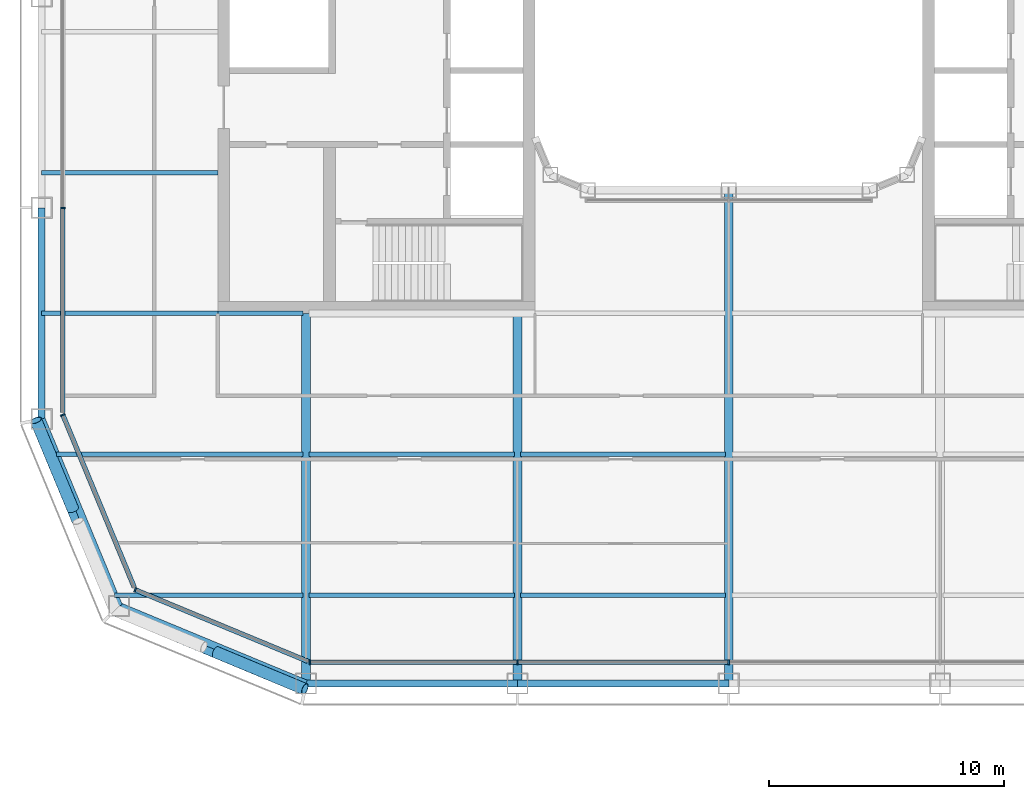
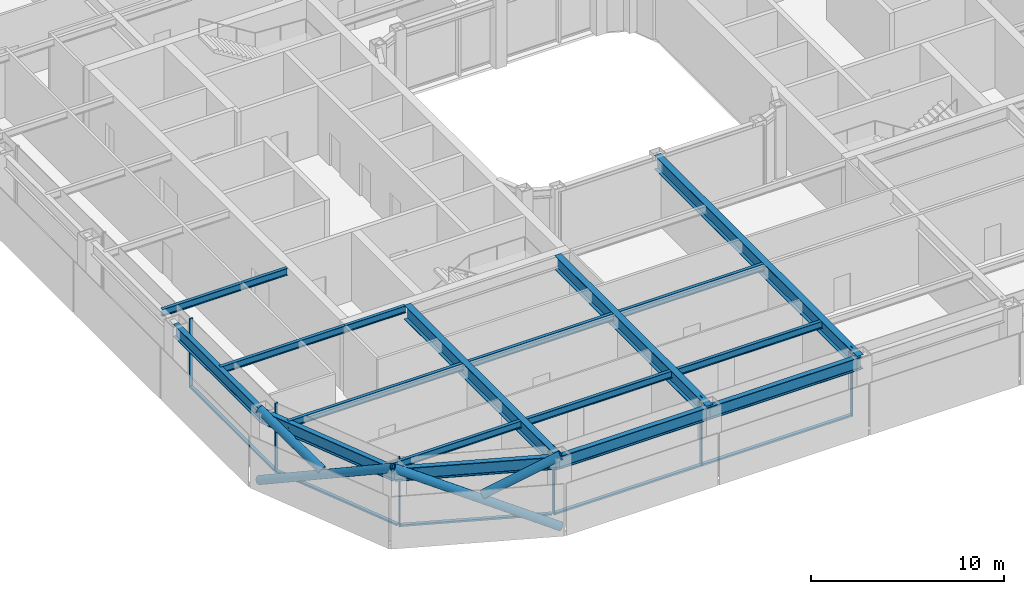
# One storey, part 2 of 23: 17 beams, 15 members, 4 elements without a shape of their own.
"""IFC4 building model written with IfcOpenShell, lengths in metres."""

from ifc_helpers import new_model, si_unit, direction, frame, origin, origin_2d, place, context, subcontext, project, spatial, rectangle, hollow_circle, i_section, extrude, material, layer, layer_set, material_profile, profile_set, type_object, element, aggregate, save


model = new_model("IFC4")

# Units and contexts
model_context = context("Model", 3, precision=1e-05, world=origin(), true_north=direction((0.0, 1.0)))
body_context = subcontext(model_context, "Body", "Model", "MODEL_VIEW")
ifc_project = project(units=[si_unit("LENGTHUNIT", "METRE"), si_unit("AREAUNIT", "SQUARE_METRE"), si_unit("VOLUMEUNIT", "CUBIC_METRE"), si_unit("PLANEANGLEUNIT", "RADIAN"), si_unit("MASSUNIT", "GRAM", prefix="KILO")], contexts=[model_context])

# Site, building, storey
site_placement = place(None, origin())
site = spatial("IfcSite", under=ifc_project, at=site_placement, CompositionType="ELEMENT")
building_placement = place(site_placement, origin())
building = spatial("IfcBuilding", under=site, at=building_placement, Name="Siwar Civic Tower", CompositionType="ELEMENT")
storey_placement = place(building_placement, frame((0.0, 0.0, 145.199951171875)))
storey = spatial("IfcBuildingStorey", under=building, at=storey_placement, Name="L31", CompositionType="ELEMENT", Elevation=145.199951171875)

# Curtain wall, members
ifc_material_1 = material(Name="Aluminium and glass", Category="aluminium")
ifc_layer_1 = layer(ifc_material_1, 0.199951171875)
ifc_layer_set_1 = layer_set([ifc_layer_1], Name="Aluminium and glass")
curtain_wall_type_1 = type_object("IfcCurtainWallType", Name="ENV-CW-B", PredefinedType="NOTDEFINED", material=ifc_layer_set_1)
curtain_wall_1_placement = place(storey_placement, origin())
curtain_wall_1 = element("IfcCurtainWall", 1, at=curtain_wall_1_placement, inside=storey, type_object=curtain_wall_type_1, Name="Curtain wall B S", PredefinedType="NOTDEFINED")
ifc_material_2 = material(Name="Aluminium 6063-T6", Category="aluminium")
ifc_material_profile_1 = material_profile(ifc_material_2, rectangle(XDim=0.199951171875, YDim=0.06494140625, at=origin_2d()), Name="AL 200x65")
ifc_profile_set_1 = profile_set([ifc_material_profile_1], Name="Aluminium 6063-T6")
member_type_1 = type_object("IfcMemberType", Name="ENV-MULLION-B", PredefinedType="MULLION", material=ifc_profile_set_1)
member_1_placement = place(storey_placement, frame((-17.821044921875, -28.35009765625, 0.0), z_axis=(0.0, 0.0, 1.0), x_axis=(0.0, 1.0, 0.0)))
member_1 = element("IfcMember", 2, at=member_1_placement, type_object=member_type_1, Name="Mullion B S 1", PredefinedType="MULLION", context=body_context, shape_type="SweptSolid", body=[
    extrude(rectangle(XDim=0.199951171875, YDim=0.06494140625, at=origin_2d()), origin(), (0.0, 0.0, 1.0), 4.35009765625),
])
member_2_placement = place(storey_placement, frame((-9.0, -28.35009765625, 0.0), z_axis=(0.0, 0.0, 1.0), x_axis=(0.0, 1.0, 0.0)))
member_2 = element("IfcMember", 3, at=member_2_placement, type_object=member_type_1, Name="Mullion B S 2", PredefinedType="MULLION", context=body_context, shape_type="SweptSolid", body=[
    extrude(rectangle(XDim=0.199951171875, YDim=0.06494140625, at=origin_2d()), origin(), (0.0, 0.0, 1.0), 4.35009765625),
])
member_3_placement = place(storey_placement, frame((0.0, -28.35009765625, 0.0), z_axis=(0.0, 0.0, 1.0), x_axis=(0.0, 1.0, 0.0)))
member_3 = element("IfcMember", 4, at=member_3_placement, type_object=member_type_1, Name="Mullion B S 3", PredefinedType="MULLION", context=body_context, shape_type="SweptSolid", body=[
    extrude(rectangle(XDim=0.199951171875, YDim=0.06494140625, at=origin_2d()), origin(), (0.0, 0.0, 1.0), 4.35009765625),
])

# Curtain wall, member
curtain_wall_2_placement = place(storey_placement, origin())
curtain_wall_2 = element("IfcCurtainWall", 5, at=curtain_wall_2_placement, inside=storey, type_object=curtain_wall_type_1, Name="Curtain wall B W", PredefinedType="NOTDEFINED")
member_4_placement = place(storey_placement, frame((-28.35009765625, -9.0, 0.0), z_axis=(0.0, 0.0, 1.0), x_axis=(1.0, 0.0, 0.0)))
member_4 = element("IfcMember", 6, at=member_4_placement, type_object=member_type_1, Name="Mullion B W 4", PredefinedType="MULLION", context=body_context, shape_type="SweptSolid", body=[
    extrude(rectangle(XDim=0.199951171875, YDim=0.06494140625, at=origin_2d()), origin(), (0.0, 0.0, 1.0), 4.35009765625),
])

ifc_material_3 = material(Name="Aluminium clad insulated panel", Category="aluminium")
ifc_layer_2 = layer(ifc_material_3, 0.199951171875)
ifc_layer_set_2 = layer_set([ifc_layer_2], Name="Aluminium clad insulated panel")
curtain_wall_type_2 = type_object("IfcCurtainWallType", Name="ENV-CW-BX", PredefinedType="NOTDEFINED", material=ifc_layer_set_2)
curtain_wall_3_placement = place(storey_placement, origin())
curtain_wall_3 = element("IfcCurtainWall", 7, at=curtain_wall_3_placement, inside=storey, type_object=curtain_wall_type_2, Name="Curtain wall B SW1", PredefinedType="NOTDEFINED")
member_5_placement = place(storey_placement, frame((-28.35009765625, -17.821044921875, 0.0), z_axis=(0.0, 0.0, 1.0), x_axis=(0.923879532511, 0.382683432365, 0.0)))
member_5 = element("IfcMember", 8, at=member_5_placement, type_object=member_type_1, Name="Mullion B SW1 1", PredefinedType="MULLION", context=body_context, shape_type="SweptSolid", body=[
    extrude(rectangle(XDim=0.199951171875, YDim=0.06494140625, at=origin_2d()), origin(), (0.0, 0.0, 1.0), 4.35009765625),
])

curtain_wall_4_placement = place(storey_placement, origin())
curtain_wall_4 = element("IfcCurtainWall", 9, at=curtain_wall_4_placement, inside=storey, type_object=curtain_wall_type_2, Name="Curtain wall B SW2", PredefinedType="NOTDEFINED")
member_6_placement = place(storey_placement, frame((-25.26611328125, -25.26611328125, 0.0), z_axis=(0.0, 0.0, 1.0), x_axis=(0.382683432365, 0.923879532511, 0.0)))
member_6 = element("IfcMember", 10, at=member_6_placement, type_object=member_type_1, Name="Mullion B SW2 1", PredefinedType="MULLION", context=body_context, shape_type="SweptSolid", body=[
    extrude(rectangle(XDim=0.199951171875, YDim=0.06494140625, at=origin_2d()), origin(), (0.0, 0.0, 1.0), 4.35009765625),
])

# Member
ifc_material_4 = material(Name="Aluminium 6063-T6", Category="aluminium")
ifc_material_profile_2 = material_profile(ifc_material_4, rectangle(XDim=0.199951171875, YDim=0.110107421875, at=origin_2d()), Name="AL 200x110")
ifc_profile_set_2 = profile_set([ifc_material_profile_2], Name="Aluminium 6063-T6")
member_type_2 = type_object("IfcMemberType", Name="ENV-TRANSOM-B", PredefinedType="USERDEFINED", material=ifc_profile_set_2)
member_7_placement = place(storey_placement, frame((-17.78857421875, -28.35009765625, 0.054931640625), z_axis=(1.0, 0.0, 0.0), x_axis=(0.0, 1.0, 0.0)))
member_7 = element("IfcMember", 11, at=member_7_placement, type_object=member_type_2, Name="Transom B S 1", ObjectType="TRANSOM", PredefinedType="USERDEFINED", context=body_context, shape_type="SweptSolid", body=[
    extrude(rectangle(XDim=0.199951171875, YDim=0.110107421875, at=origin_2d()), origin(), (0.0, 0.0, 1.0), 8.756103515625),
])

member_8_placement = place(storey_placement, frame((-8.967529296875, -28.35009765625, 0.054931640625), z_axis=(1.0, 0.0, 0.0), x_axis=(0.0, 1.0, 0.0)))
member_8 = element("IfcMember", 12, at=member_8_placement, type_object=member_type_2, Name="Transom B S 2", ObjectType="TRANSOM", PredefinedType="USERDEFINED", context=body_context, shape_type="SweptSolid", body=[
    extrude(rectangle(XDim=0.199951171875, YDim=0.110107421875, at=origin_2d()), origin(), (0.0, 0.0, 1.0), 8.93505859375),
])

aggregate(curtain_wall_1, [member_1, member_2, member_3, member_7, member_8])

member_9_placement = place(storey_placement, frame((-28.35009765625, -9.032470703125, 0.054931640625), z_axis=(0.0, -1.0, 0.0), x_axis=(1.0, 0.0, 0.0)))
member_9 = element("IfcMember", 13, at=member_9_placement, type_object=member_type_2, Name="Transom B W 4", ObjectType="TRANSOM", PredefinedType="USERDEFINED", context=body_context, shape_type="SweptSolid", body=[
    extrude(rectangle(XDim=0.199951171875, YDim=0.110107421875, at=origin_2d()), origin(), (0.0, 0.0, 1.0), 8.6748046875),
])

aggregate(curtain_wall_2, [member_4, member_9])

member_10_placement = place(storey_placement, frame((-28.337646484375, -17.85107421875, 0.054931640625), z_axis=(0.382699695651, -0.92387279587, 0.0), x_axis=(0.92387279587, 0.382699695651, 0.0)))
member_10 = element("IfcMember", 14, at=member_10_placement, type_object=member_type_2, Name="Transom B SW1 1", ObjectType="TRANSOM", PredefinedType="USERDEFINED", context=body_context, shape_type="SweptSolid", body=[
    extrude(rectangle(XDim=0.199951171875, YDim=0.110107421875, at=origin_2d()), origin(), (0.0, 0.0, 1.0), 7.912353515625),
])

aggregate(curtain_wall_3, [member_5, member_10])

member_11_placement = place(storey_placement, frame((-25.236083984375, -25.278564453125, 0.054931640625), z_axis=(0.923883705044, -0.382673358825, 0.0), x_axis=(0.382673358825, 0.923883705044, 0.0)))
member_11 = element("IfcMember", 15, at=member_11_placement, type_object=member_type_2, Name="Transom B SW2 1", ObjectType="TRANSOM", PredefinedType="USERDEFINED", context=body_context, shape_type="SweptSolid", body=[
    extrude(rectangle(XDim=0.199951171875, YDim=0.110107421875, at=origin_2d()), origin(), (0.0, 0.0, 1.0), 7.912353515625),
])

aggregate(curtain_wall_4, [member_6, member_11])

# Members
ifc_material_5 = material(Name="Steel S355", Category="steel")
ifc_material_profile_3 = material_profile(ifc_material_5, hollow_circle(Radius=0.25390625, WallThickness=0.02490234375, at=origin_2d()), Name="CHS508x25")
ifc_profile_set_3 = profile_set([ifc_material_profile_3], Name="Steel S355")
member_type_3 = type_object("IfcMemberType", Name="STR-BR-CHS508x25", PredefinedType="BRACE", material=ifc_profile_set_3)
member_12_placement = place(storey_placement, frame((-18.048828125, -29.4951171875, 0.0), z_axis=(-0.821142553604, 0.341671493852, 0.457149315816), x_axis=(-0.384163874976, -0.923264922524, 0.0)))
element("IfcMember", 16, at=member_12_placement, inside=storey, type_object=member_type_3, Name="L31/brc/BSW1-10-0-1", PredefinedType="BRACE", context=body_context, shape_type="SweptSolid", body=[
    extrude(hollow_circle(Radius=0.25390625, WallThickness=0.02490234375, at=origin_2d()), origin(), (0.0, 0.0, 1.0), 9.843505859375),
])
member_13_placement = place(storey_placement, frame((-21.837890625, -27.91845703125, 2.390625), z_axis=(0.821145902409, -0.34168558233, 0.457132770413), x_axis=(0.384176042158, 0.923259859753, 0.0)))
element("IfcMember", 17, at=member_13_placement, inside=storey, type_object=member_type_3, Name="L31/brc/BSW1-10-0-3", PredefinedType="BRACE", context=body_context, shape_type="SweptSolid", body=[
    extrude(hollow_circle(Radius=0.25390625, WallThickness=0.02490234375, at=origin_2d()), origin(), (0.0, 0.0, 1.0), 4.6142578125),
])
member_14_placement = place(storey_placement, frame((-29.4951171875, -18.048828125, 0.0), z_axis=(0.341671493852, -0.821142553604, 0.457149315816), x_axis=(0.923264922524, 0.384163874976, 0.0)))
element("IfcMember", 18, at=member_14_placement, inside=storey, type_object=member_type_3, Name="L31/brc/BSW1-10-0-0", PredefinedType="BRACE", context=body_context, shape_type="SweptSolid", body=[
    extrude(hollow_circle(Radius=0.25390625, WallThickness=0.02490234375, at=origin_2d()), origin(), (0.0, 0.0, 1.0), 9.843505859375),
])
member_15_placement = place(storey_placement, frame((-27.91845703125, -21.837890625, 2.390625), z_axis=(-0.34168558233, 0.821145902409, 0.457132770413), x_axis=(-0.923259859753, -0.384176042158, 0.0)))
element("IfcMember", 19, at=member_15_placement, inside=storey, type_object=member_type_3, Name="L31/brc/BSW1-10-0-5", PredefinedType="BRACE", context=body_context, shape_type="SweptSolid", body=[
    extrude(hollow_circle(Radius=0.25390625, WallThickness=0.02490234375, at=origin_2d()), origin(), (0.0, 0.0, 1.0), 4.6142578125),
])

# Beams
ifc_material_6 = material(Name="Steel S355", Category="steel")
ifc_material_profile_4 = material_profile(ifc_material_6, i_section(OverallWidth=0.18994140625, OverallDepth=0.449951171875, WebThickness=0.009521484375, FlangeThickness=0.0146484375, FilletRadius=0.02099609375, at=origin_2d()), Name="IPE450")
ifc_profile_set_4 = profile_set([ifc_material_profile_4], Name="Steel S355")
beam_type_1 = type_object("IfcBeamType", Name="STR-FB-IPE450", PredefinedType="JOIST", material=ifc_profile_set_4)
beam_1_placement = place(storey_placement, frame((-26.143310546875, -25.5, 4.125), z_axis=(1.0, 0.0, 0.0), x_axis=(0.0, 1.0, 0.0)))
element("IfcBeam", 20, at=beam_1_placement, inside=storey, type_object=beam_type_1, Name="L31/bm/F001", PredefinedType="JOIST", context=body_context, shape_type="SweptSolid", body=[
    extrude(i_section(OverallWidth=0.18994140625, OverallDepth=0.449951171875, WebThickness=0.009521484375, FlangeThickness=0.0146484375, FilletRadius=0.02099609375, at=origin_2d()), origin(), (0.0, 0.0, 1.0), 8.013427734375),
])
for number, where, z_axis, x_axis, name in (
    (21, (-17.8701171875, -25.5, 4.125), (1.0, 0.0, 0.0), (0.0, 1.0, 0.0), "L31/bm/F002"),
    (22, (-8.8701171875, -25.5, 4.125), (1.0, 0.0, 0.0), (0.0, 1.0, 0.0), "L31/bm/F003"),
):
    element("IfcBeam", number, at=place(storey_placement, frame(where, z_axis=z_axis, x_axis=x_axis)), inside=storey, type_object=beam_type_1, Name=name, PredefinedType="JOIST", context=body_context, shape_type="SweptSolid", body=[
        extrude(i_section(OverallWidth=0.18994140625, OverallDepth=0.449951171875, WebThickness=0.009521484375, FlangeThickness=0.0146484375, FilletRadius=0.02099609375, at=origin_2d()), origin(), (0.0, 0.0, 1.0), 8.740234375),
    ])
beam_2_placement = place(storey_placement, frame((-28.628662109375, -19.5, 4.125), z_axis=(1.0, 0.0, 0.0), x_axis=(0.0, 1.0, 0.0)))
element("IfcBeam", 23, at=beam_2_placement, inside=storey, type_object=beam_type_1, Name="L31/bm/F007", PredefinedType="JOIST", context=body_context, shape_type="SweptSolid", body=[
    extrude(i_section(OverallWidth=0.18994140625, OverallDepth=0.449951171875, WebThickness=0.009521484375, FlangeThickness=0.0146484375, FilletRadius=0.02099609375, at=origin_2d()), origin(), (0.0, 0.0, 1.0), 10.498779296875),
])
for number, where, z_axis, x_axis, name in (
    (24, (-17.8701171875, -19.5, 4.125), (1.0, 0.0, 0.0), (0.0, 1.0, 0.0), "L31/bm/F008"),
    (25, (-8.8701171875, -19.5, 4.125), (1.0, 0.0, 0.0), (0.0, 1.0, 0.0), "L31/bm/F009"),
):
    element("IfcBeam", number, at=place(storey_placement, frame(where, z_axis=z_axis, x_axis=x_axis)), inside=storey, type_object=beam_type_1, Name=name, PredefinedType="JOIST", context=body_context, shape_type="SweptSolid", body=[
        extrude(i_section(OverallWidth=0.18994140625, OverallDepth=0.449951171875, WebThickness=0.009521484375, FlangeThickness=0.0146484375, FilletRadius=0.02099609375, at=origin_2d()), origin(), (0.0, 0.0, 1.0), 8.740234375),
    ])
beam_3_placement = place(storey_placement, frame((-29.25, -13.5, 4.125), z_axis=(1.0, 0.0, 0.0), x_axis=(0.0, 1.0, 0.0)))
element("IfcBeam", 26, at=beam_3_placement, inside=storey, type_object=beam_type_1, Name="L31/bm/F013", PredefinedType="JOIST", context=body_context, shape_type="SweptSolid", body=[
    extrude(i_section(OverallWidth=0.18994140625, OverallDepth=0.449951171875, WebThickness=0.009521484375, FlangeThickness=0.0146484375, FilletRadius=0.02099609375, at=origin_2d()), origin(), (0.0, 0.0, 1.0), 7.5),
])
beam_4_placement = place(storey_placement, frame((-21.75, -13.5, 4.125), z_axis=(1.0, 0.0, 0.0), x_axis=(0.0, 1.0, 0.0)))
element("IfcBeam", 27, at=beam_4_placement, inside=storey, type_object=beam_type_1, Name="L31/bm/F014", PredefinedType="JOIST", context=body_context, shape_type="SweptSolid", body=[
    extrude(i_section(OverallWidth=0.18994140625, OverallDepth=0.449951171875, WebThickness=0.009521484375, FlangeThickness=0.0146484375, FilletRadius=0.02099609375, at=origin_2d()), origin(), (0.0, 0.0, 1.0), 3.6201171875),
])
beam_5_placement = place(storey_placement, frame((-29.25, -7.5, 4.125), z_axis=(1.0, 0.0, 0.0), x_axis=(0.0, 1.0, 0.0)))
element("IfcBeam", 28, at=beam_5_placement, inside=storey, type_object=beam_type_1, Name="L31/bm/F021", PredefinedType="JOIST", context=body_context, shape_type="SweptSolid", body=[
    extrude(i_section(OverallWidth=0.18994140625, OverallDepth=0.449951171875, WebThickness=0.009521484375, FlangeThickness=0.0146484375, FilletRadius=0.02099609375, at=origin_2d()), origin(), (0.0, 0.0, 1.0), 7.5),
])
ifc_material_7 = material(Name="Steel S355", Category="steel")
ifc_material_profile_5 = material_profile(ifc_material_7, i_section(OverallWidth=0.3798828125, OverallDepth=0.89990234375, WebThickness=0.01611328125, FlangeThickness=0.035888671875, at=origin_2d()), Name="PG900x380x16x36")
ifc_profile_set_5 = profile_set([ifc_material_profile_5], Name="Steel S355")
beam_type_2 = type_object("IfcBeamType", Name="STR-PG-PG900x380x16x36", PredefinedType="BEAM", material=ifc_profile_set_5)
for number, where, z_axis, x_axis, name in (
    (29, (-18.0, -29.25, 3.900146484375), (0.0, 1.0, 0.0), (-1.0, 0.0, 0.0), "L31/bm/G01"),
    (30, (-9.0, -29.25, 3.900146484375), (0.0, 1.0, 0.0), (-1.0, 0.0, 0.0), "L31/bm/G03"),
):
    element("IfcBeam", number, at=place(storey_placement, frame(where, z_axis=z_axis, x_axis=x_axis)), inside=storey, type_object=beam_type_2, Name=name, PredefinedType="BEAM", context=body_context, shape_type="SweptSolid", body=[
        extrude(i_section(OverallWidth=0.3798828125, OverallDepth=0.89990234375, WebThickness=0.01611328125, FlangeThickness=0.035888671875, at=origin_2d()), origin(), (0.0, 0.0, 1.0), 15.75),
    ])
beam_6_placement = place(storey_placement, frame((0.0, -29.25, 3.900146484375), z_axis=(0.0, 1.0, 0.0), x_axis=(-1.0, 0.0, 0.0)))
element("IfcBeam", 31, at=beam_6_placement, inside=storey, type_object=beam_type_2, Name="L31/bm/G05", PredefinedType="BEAM", context=body_context, shape_type="SweptSolid", body=[
    extrude(i_section(OverallWidth=0.3798828125, OverallDepth=0.89990234375, WebThickness=0.01611328125, FlangeThickness=0.035888671875, at=origin_2d()), origin(), (0.0, 0.0, 1.0), 21.0),
])
ifc_material_8 = material(Name="Steel S355", Category="steel")
ifc_material_profile_6 = material_profile(ifc_material_8, i_section(OverallWidth=0.300048828125, OverallDepth=0.800048828125, WebThickness=0.017578125, FlangeThickness=0.032958984375, FilletRadius=0.030029296875, at=origin_2d()), Name="HEB800")
ifc_profile_set_6 = profile_set([ifc_material_profile_6], Name="Steel S355")
beam_type_3 = type_object("IfcBeamType", Name="STR-SB-HEB800", PredefinedType="BEAM", material=ifc_profile_set_6)
for number, where, z_axis, x_axis, name in (
    (32, (-18.0, -29.25, 3.949951171875), (1.0, 0.0, 0.0), (0.0, 1.0, 0.0), "L31/bm/SS-0"),
    (33, (-9.0, -29.25, 3.949951171875), (1.0, 0.0, 0.0), (0.0, 1.0, 0.0), "L31/bm/SS-1"),
    (34, (-29.25, -9.0, 3.949951171875), (0.0, -1.0, 0.0), (1.0, 0.0, 0.0), "L31/bm/SW-3"),
):
    element("IfcBeam", number, at=place(storey_placement, frame(where, z_axis=z_axis, x_axis=x_axis)), inside=storey, type_object=beam_type_3, Name=name, PredefinedType="BEAM", context=body_context, shape_type="SweptSolid", body=[
        extrude(i_section(OverallWidth=0.300048828125, OverallDepth=0.800048828125, WebThickness=0.017578125, FlangeThickness=0.032958984375, FilletRadius=0.030029296875, at=origin_2d()), origin(), (0.0, 0.0, 1.0), 9.0),
    ])
for number, where, z_axis, x_axis, name in (
    (35, (-29.25, -18.0, 3.949951171875), (0.382699877515, -0.923872720536, 0.0), (0.923872720536, 0.382699877515, 0.0), "L31/bm/SSW1-0"),
    (36, (-25.954833984375, -25.954833984375, 3.949951171875), (0.923872720536, -0.382699877515, 0.0), (0.382699877515, 0.923872720536, 0.0), "L31/bm/SSW2-0"),
):
    element("IfcBeam", number, at=place(storey_placement, frame(where, z_axis=z_axis, x_axis=x_axis)), inside=storey, type_object=beam_type_3, Name=name, PredefinedType="BEAM", context=body_context, shape_type="SweptSolid", body=[
        extrude(i_section(OverallWidth=0.300048828125, OverallDepth=0.800048828125, WebThickness=0.017578125, FlangeThickness=0.032958984375, FilletRadius=0.030029296875, at=origin_2d()), origin(), (0.0, 0.0, 1.0), 8.6103515625),
    ])

save(model, "model.ifc")
